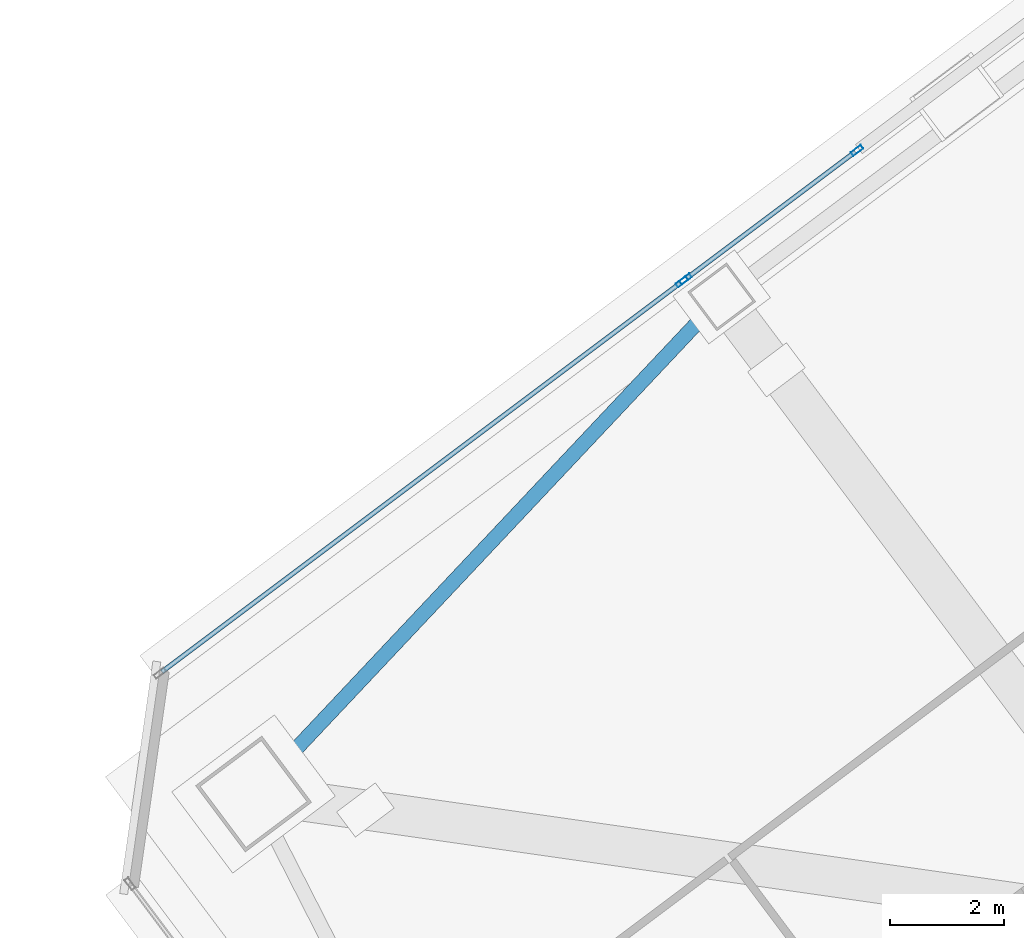
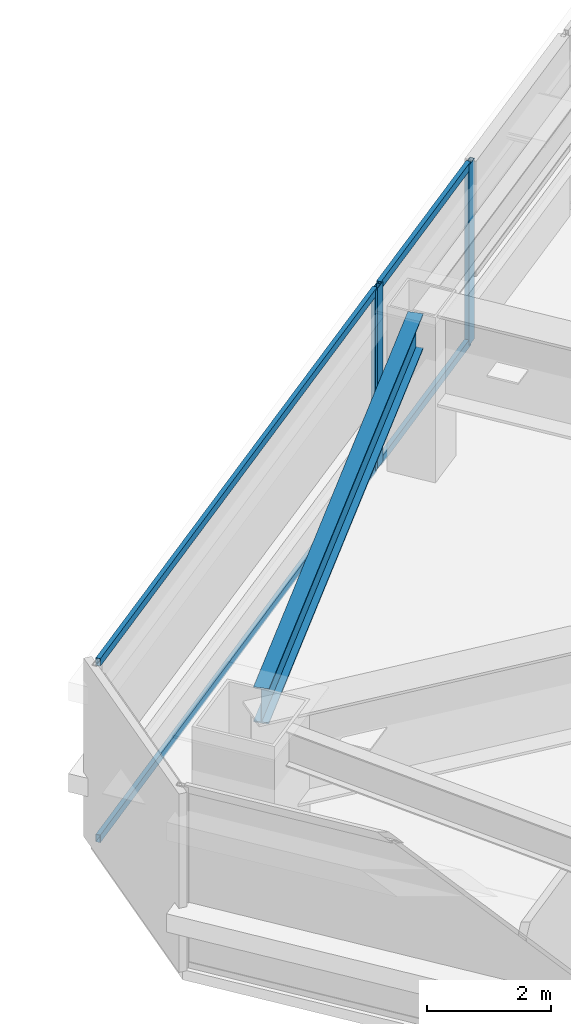
# One storey, part 29 of 49: 7 members, 1 beam, 2 elements without a shape of their own.
"""IFC4 building model written with IfcOpenShell, lengths in metres."""

from ifc_helpers import new_model, si_unit, direction, frame, origin, origin_2d, place, context, subcontext, project, spatial, hollow_rectangle, i_section, extrude, material, material_profile, profile_set, type_object, element, aggregate, save


model = new_model("IFC4")

# Units and contexts
model_context = context("Model", 3, precision=1e-05, world=origin(), true_north=direction((0.0, 1.0)))
body_context = subcontext(model_context, "Body", "Model", "MODEL_VIEW")
ifc_project = project(units=[si_unit("LENGTHUNIT", "METRE"), si_unit("AREAUNIT", "SQUARE_METRE"), si_unit("VOLUMEUNIT", "CUBIC_METRE"), si_unit("PLANEANGLEUNIT", "RADIAN"), si_unit("MASSUNIT", "GRAM", prefix="KILO")], contexts=[model_context])

# Site, building, storey
site_placement = place(None, origin())
site = spatial("IfcSite", under=ifc_project, at=site_placement, CompositionType="ELEMENT")
building_placement = place(site_placement, origin())
building = spatial("IfcBuilding", under=site, at=building_placement, Name="Tashvorn Skyway Center", CompositionType="ELEMENT")
storey_placement = place(building_placement, frame((0.0, 0.0, 106.25)))
storey = spatial("IfcBuildingStorey", under=building, at=storey_placement, Name="L28", CompositionType="ELEMENT", Elevation=106.25)

# Beam
ifc_material_1 = material(Name="Steel ASTM A992 Grade 50", Category="steel")
ifc_material_profile_1 = material_profile(ifc_material_1, i_section(OverallWidth=0.256103515625, OverallDepth=0.693115234375, WebThickness=0.014404296875, FlangeThickness=0.023681640625, at=origin_2d()), Name="W27X114")
ifc_profile_set_1 = profile_set([ifc_material_profile_1], Name="Steel ASTM A992 Grade 50")
beam_type = type_object("IfcBeamType", Name="BM-SPANDREL-W27X114", PredefinedType="SPANDREL", material=ifc_profile_set_1)
beam_placement = place(storey_placement, frame((97.842041015625, 43.854248046875, 2.903564453125), z_axis=(-0.685484857238, -0.728086883893, 0.0), x_axis=(0.728086883893, -0.685484857238, 0.0)))
element("IfcBeam", 1, at=beam_placement, inside=storey, type_object=beam_type, Name="Tower 2 L28 Spandrel Beam 09", PredefinedType="SPANDREL", context=body_context, shape_type="SweptSolid", body=[
    extrude(i_section(OverallWidth=0.256103515625, OverallDepth=0.693115234375, WebThickness=0.014404296875, FlangeThickness=0.023681640625, at=origin_2d()), origin(), (0.0, 0.0, 1.0), 10.8369140625),
])

# Curtain wall, member
ifc_material_2 = material(Name="Thermally broken bronze-anodized aluminium 6063-T6", Category="aluminium")
curtain_wall_type = type_object("IfcCurtainWallType", Name="CW-CW-Z2", PredefinedType="NOTDEFINED", material=ifc_material_2)
curtain_wall_1_placement = place(storey_placement, origin())
curtain_wall_1 = element("IfcCurtainWall", 2, at=curtain_wall_1_placement, inside=storey, type_object=curtain_wall_type, Name="Tower 2 L28 North Unitised Curtain Wall Glazing Group 1", PredefinedType="NOTDEFINED")
ifc_material_profile_2 = material_profile(ifc_material_2, hollow_rectangle(XDim=0.080078125, YDim=0.219970703125, WallThickness=0.0048828125, at=origin_2d()), Name="ALU-MULL-80x220")
ifc_profile_set_2 = profile_set([ifc_material_profile_2], Name="Thermally broken bronze-anodized aluminium 6063-T6")
member_type_1 = type_object("IfcMemberType", Name="CWM-CW-Z2", PredefinedType="MULLION", material=ifc_profile_set_2)
member_1_placement = place(storey_placement, frame((97.431884765625, 44.424072265625, 0.0), z_axis=(0.0, 0.0, 1.0), x_axis=(-0.600000000002, 0.799999999998, 0.0)))
member_1 = element("IfcMember", 3, at=member_1_placement, type_object=member_type_1, Name="CW-Z2 mullion 2", PredefinedType="MULLION", context=body_context, shape_type="SweptSolid", body=[
    extrude(hollow_rectangle(XDim=0.080078125, YDim=0.219970703125, WallThickness=0.0048828125, at=origin_2d()), origin(), (0.0, 0.0, 1.0), 3.550048828125),
])

# Curtain wall, members
curtain_wall_2_placement = place(storey_placement, origin())
curtain_wall_2 = element("IfcCurtainWall", 4, at=curtain_wall_2_placement, inside=storey, type_object=curtain_wall_type, Name="Tower 2 L28 North Unitised Curtain Wall Glazing Group 2", PredefinedType="NOTDEFINED")
member_2_placement = place(storey_placement, frame((97.49609375, 44.471923828125, 0.0), z_axis=(0.0, 0.0, 1.0), x_axis=(-0.600000000002, 0.799999999998, 0.0)))
member_2 = element("IfcMember", 5, at=member_2_placement, type_object=member_type_1, Name="CW-Z2 mullion 1", PredefinedType="MULLION", context=body_context, shape_type="SweptSolid", body=[
    extrude(hollow_rectangle(XDim=0.080078125, YDim=0.219970703125, WallThickness=0.0048828125, at=origin_2d()), origin(), (0.0, 0.0, 1.0), 3.550048828125),
])
member_3_placement = place(storey_placement, frame((100.50390625, 46.72802734375, 0.0), z_axis=(0.0, 0.0, 1.0), x_axis=(-0.600000000002, 0.799999999998, 0.0)))
member_3 = element("IfcMember", 6, at=member_3_placement, type_object=member_type_1, Name="CW-Z2 mullion 2", PredefinedType="MULLION", context=body_context, shape_type="SweptSolid", body=[
    extrude(hollow_rectangle(XDim=0.080078125, YDim=0.219970703125, WallThickness=0.0048828125, at=origin_2d()), origin(), (0.0, 0.0, 1.0), 3.550048828125),
])

# Member
ifc_material_profile_3 = material_profile(ifc_material_2, hollow_rectangle(XDim=0.080078125, YDim=0.14990234375, WallThickness=0.00439453125, at=origin_2d()), Name="ALU-TRAN-80x150")
ifc_profile_set_3 = profile_set([ifc_material_profile_3], Name="Thermally broken bronze-anodized aluminium 6063-T6")
member_type_2 = type_object("IfcMemberType", Name="CWT-CW-Z2", PredefinedType="USERDEFINED", material=ifc_profile_set_3)
member_4_placement = place(storey_placement, frame((88.31201171875, 37.583984375, 0.0400390625), z_axis=(0.8, 0.6, 0.0), x_axis=(-0.6, 0.8, 0.0)))
member_4 = element("IfcMember", 7, at=member_4_placement, type_object=member_type_2, Name="CW-Z2 transom 1.1", ObjectType="TRANSOM", PredefinedType="USERDEFINED", context=body_context, shape_type="SweptSolid", body=[
    extrude(hollow_rectangle(XDim=0.080078125, YDim=0.14990234375, WallThickness=0.00439453125, at=origin_2d()), origin(), (0.0, 0.0, 1.0), 11.35986328125),
])

member_5_placement = place(storey_placement, frame((88.31201171875, 37.583984375, 3.510009765625), z_axis=(0.8, 0.6, 0.0), x_axis=(-0.6, 0.8, 0.0)))
member_5 = element("IfcMember", 8, at=member_5_placement, type_object=member_type_2, Name="CW-Z2 transom 1.2", ObjectType="TRANSOM", PredefinedType="USERDEFINED", context=body_context, shape_type="SweptSolid", body=[
    extrude(hollow_rectangle(XDim=0.080078125, YDim=0.14990234375, WallThickness=0.00439453125, at=origin_2d()), origin(), (0.0, 0.0, 1.0), 11.35986328125),
])

aggregate(curtain_wall_1, [member_1, member_4, member_5])

member_6_placement = place(storey_placement, frame((97.528076171875, 44.49609375, 0.0400390625), z_axis=(0.799984076997, 0.600021230084, 0.0), x_axis=(-0.600021230084, 0.799984076997, 0.0)))
member_6 = element("IfcMember", 9, at=member_6_placement, type_object=member_type_2, Name="CW-Z2 transom 1.1", ObjectType="TRANSOM", PredefinedType="USERDEFINED", context=body_context, shape_type="SweptSolid", body=[
    extrude(hollow_rectangle(XDim=0.080078125, YDim=0.14990234375, WallThickness=0.00439453125, at=origin_2d()), origin(), (0.0, 0.0, 1.0), 3.679931640625),
])

member_7_placement = place(storey_placement, frame((97.528076171875, 44.49609375, 3.510009765625), z_axis=(0.799984076997, 0.600021230084, 0.0), x_axis=(-0.600021230084, 0.799984076997, 0.0)))
member_7 = element("IfcMember", 10, at=member_7_placement, type_object=member_type_2, Name="CW-Z2 transom 1.2", ObjectType="TRANSOM", PredefinedType="USERDEFINED", context=body_context, shape_type="SweptSolid", body=[
    extrude(hollow_rectangle(XDim=0.080078125, YDim=0.14990234375, WallThickness=0.00439453125, at=origin_2d()), origin(), (0.0, 0.0, 1.0), 3.679931640625),
])

aggregate(curtain_wall_2, [member_2, member_3, member_6, member_7])

save(model, "model.ifc")
